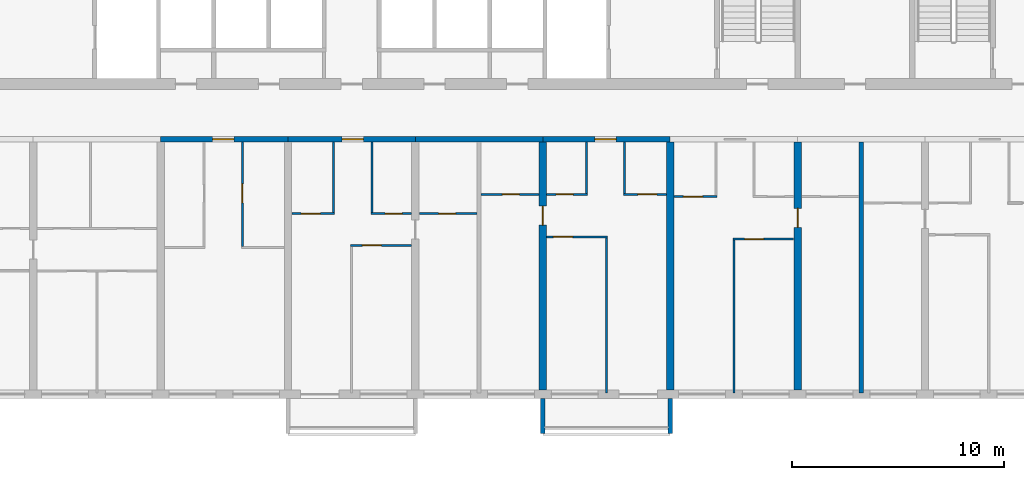
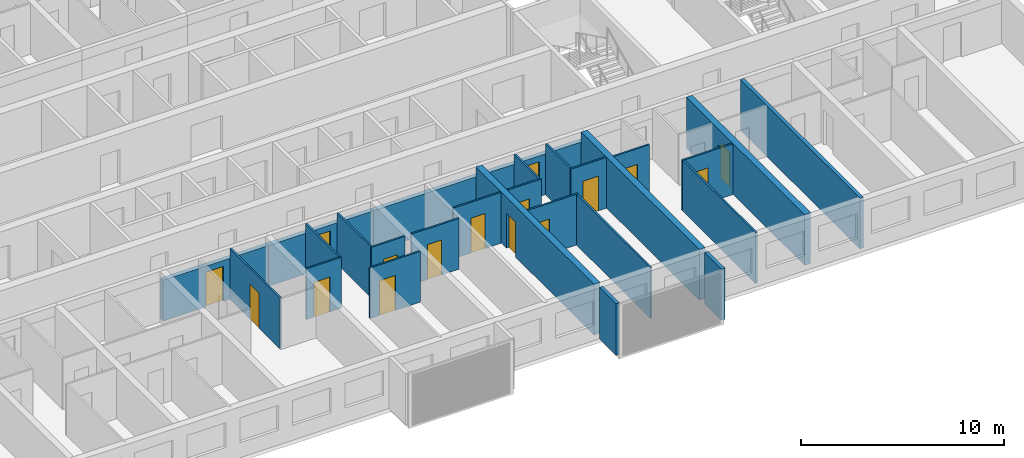
# One storey, part 5 of 24: 27 walls, 16 doors, 16 openings.
"""IFC4 building model written with IfcOpenShell, lengths in metres."""

from ifc_helpers import new_model, si_unit, direction, frame, frame_2d, origin, place, context, subcontext, project, spatial, polyline, rectangle, outline, extrude, source, transform, mapped, material, layer, layer_set, type_object, element, fill, save


model = new_model("IFC4")

# Units and contexts
model_context = context("Model", 3, precision=1e-05, world=origin(), true_north=direction((0.0, 1.0)))
body_context = subcontext(model_context, "Body", "Model", "MODEL_VIEW")
ifc_project = project(units=[si_unit("LENGTHUNIT", "METRE"), si_unit("AREAUNIT", "SQUARE_METRE"), si_unit("VOLUMEUNIT", "CUBIC_METRE"), si_unit("PLANEANGLEUNIT", "RADIAN"), si_unit("MASSUNIT", "GRAM", prefix="KILO")], contexts=[model_context])

# Site, building, storey
site_placement = place(None, origin())
site = spatial("IfcSite", under=ifc_project, at=site_placement, CompositionType="ELEMENT")
building_placement = place(site_placement, origin())
building = spatial("IfcBuilding", under=site, at=building_placement, Name="Poui Terraces", CompositionType="ELEMENT")
storey_placement = place(building_placement, frame((0.0, 0.0, 109.199951171875)))
storey = spatial("IfcBuildingStorey", under=building, at=storey_placement, Name="L30", CompositionType="ELEMENT", Elevation=109.199951171875)

# Wall, opening, door
ifc_material_1 = material(Name="Concrete 65 MPa", Category="concrete")
ifc_layer_1 = layer(ifc_material_1, 0.25)
ifc_layer_set_1 = layer_set([ifc_layer_1], Name="Concrete 65 MPa")
wall_type_1 = type_object("IfcWallType", Name="CORRIDOR WALL 250 65MPa", PredefinedType="SHEAR", material=ifc_layer_set_1)
wall_1_placement = place(storey_placement, frame((42.0, 12.0, 0.0), z_axis=(0.0, 0.0, 1.0), x_axis=(1.0, 0.0, 0.0)))
wall_1 = element("IfcWall", 1, at=wall_1_placement, inside=storey, type_object=wall_type_1, Name="CORRIDOR WALL LINE B BAY 6", PredefinedType="SHEAR", context=body_context, shape_type="SweptSolid", body=[
    extrude(rectangle(XDim=6.0, YDim=0.25, at=frame_2d((3.0, 0.0))), origin(), (0.0, 0.0, 1.0), 2.4599609375),
])
opening_1_placement = place(wall_1_placement, frame((2.449951171875, 0.0, 0.0)))
opening_1 = element("IfcOpeningElement", 2, at=opening_1_placement, cuts=wall_1, Name="Opening FD30S", PredefinedType="OPENING", context=body_context, shape_type="SweptSolid", body=[
    extrude(rectangle(XDim=1.0, YDim=2.10009765625, at=frame_2d((0.5, 1.050048828125))), frame((0.0, 0.135009765625, 0.0), z_axis=(0.0, -1.0, 0.0), x_axis=(1.0, 0.0, 0.0)), (0.0, 0.0, 1.0), 0.27001953125),
])
ifc_material_2 = material(Name="Steel fire door", Category="steel")
door_type_1 = type_object("IfcDoorType", Name="FLAT ENTRANCE DOOR 1000 X 2100", OperationType="NOTDEFINED", PredefinedType="DOOR", material=ifc_material_2)
door_1_placement = place(opening_1_placement, frame((1.0, 0.0, 0.0), z_axis=(0.0, 0.0, 1.0), x_axis=(-1.0, 0.0, 0.0)))
door_1 = element("IfcDoor", 3, at=door_1_placement, inside=storey, type_object=door_type_1, Name="FLAT ENTRANCE DOOR 093", OperationType="SINGLE_SWING_RIGHT", OverallHeight=2.10009765625, OverallWidth=1.0, PredefinedType="DOOR", context=body_context, shape_type="SweptSolid", body=[
    extrude(rectangle(XDim=1.0, YDim=2.10009765625, at=frame_2d((0.5, 1.050048828125))), frame((0.0, 0.02490234375, 0.0), z_axis=(0.0, -1.0, 0.0), x_axis=(1.0, 0.0, 0.0)), (0.0, 0.0, 1.0), 0.050048828125),
])
fill(opening_1, door_1)

wall_2_placement = place(storey_placement, frame((48.0, 12.0, 0.0), z_axis=(0.0, 0.0, 1.0), x_axis=(1.0, 0.0, 0.0)))
wall_2 = element("IfcWall", 4, at=wall_2_placement, inside=storey, type_object=wall_type_1, Name="CORRIDOR WALL LINE B BAY 7", PredefinedType="SHEAR", context=body_context, shape_type="SweptSolid", body=[
    extrude(rectangle(XDim=6.0, YDim=0.25, at=frame_2d((3.0, 0.0))), origin(), (0.0, 0.0, 1.0), 2.4599609375),
])
opening_2_placement = place(wall_2_placement, frame((2.550048828125, 0.0, 0.0)))
opening_2 = element("IfcOpeningElement", 5, at=opening_2_placement, cuts=wall_2, Name="Opening FD30S", PredefinedType="OPENING", context=body_context, shape_type="SweptSolid", body=[
    extrude(rectangle(XDim=1.0, YDim=2.10009765625, at=frame_2d((0.5, 1.050048828125))), frame((0.0, 0.135009765625, 0.0), z_axis=(0.0, -1.0, 0.0), x_axis=(1.0, 0.0, 0.0)), (0.0, 0.0, 1.0), 0.27001953125),
])
door_2_placement = place(opening_2_placement, frame((1.0, 0.0, 0.0), z_axis=(0.0, 0.0, 1.0), x_axis=(-1.0, 0.0, 0.0)))
door_2 = element("IfcDoor", 6, at=door_2_placement, inside=storey, type_object=door_type_1, Name="FLAT ENTRANCE DOOR 097", OperationType="SINGLE_SWING_LEFT", OverallHeight=2.10009765625, OverallWidth=1.0, PredefinedType="DOOR", context=body_context, shape_type="SweptSolid", body=[
    extrude(rectangle(XDim=1.0, YDim=2.10009765625, at=frame_2d((0.5, 1.050048828125))), frame((0.0, 0.02490234375, 0.0), z_axis=(0.0, -1.0, 0.0), x_axis=(1.0, 0.0, 0.0)), (0.0, 0.0, 1.0), 0.050048828125),
])
fill(opening_2, door_2)

# Wall
wall_3_placement = place(storey_placement, frame((54.0, 12.0, 0.0), z_axis=(0.0, 0.0, 1.0), x_axis=(1.0, 0.0, 0.0)))
element("IfcWall", 7, at=wall_3_placement, inside=storey, type_object=wall_type_1, Name="CORRIDOR WALL LINE B BAY 8", PredefinedType="SHEAR", context=body_context, shape_type="SweptSolid", body=[
    extrude(rectangle(XDim=6.0, YDim=0.25, at=frame_2d((3.0, 0.0))), origin(), (0.0, 0.0, 1.0), 2.4599609375),
])

# Wall, opening, door
wall_4_placement = place(storey_placement, frame((60.0, 12.0, 0.0), z_axis=(0.0, 0.0, 1.0), x_axis=(1.0, 0.0, 0.0)))
wall_4 = element("IfcWall", 8, at=wall_4_placement, inside=storey, type_object=wall_type_1, Name="CORRIDOR WALL LINE B BAY 9", PredefinedType="SHEAR", context=body_context, shape_type="SweptSolid", body=[
    extrude(rectangle(XDim=6.0, YDim=0.25, at=frame_2d((3.0, 0.0))), origin(), (0.0, 0.0, 1.0), 2.4599609375),
])
opening_3_placement = place(wall_4_placement, frame((2.449951171875, 0.0, 0.0)))
opening_3 = element("IfcOpeningElement", 9, at=opening_3_placement, cuts=wall_4, Name="Opening FD30S", PredefinedType="OPENING", context=body_context, shape_type="SweptSolid", body=[
    extrude(rectangle(XDim=1.0, YDim=2.10009765625, at=frame_2d((0.5, 1.050048828125))), frame((0.0, 0.135009765625, 0.0), z_axis=(0.0, -1.0, 0.0), x_axis=(1.0, 0.0, 0.0)), (0.0, 0.0, 1.0), 0.27001953125),
])
door_3_placement = place(opening_3_placement, frame((1.0, 0.0, 0.0), z_axis=(0.0, 0.0, 1.0), x_axis=(-1.0, 0.0, 0.0)))
door_3 = element("IfcDoor", 10, at=door_3_placement, inside=storey, type_object=door_type_1, Name="FLAT ENTRANCE DOOR 105", OperationType="SINGLE_SWING_RIGHT", OverallHeight=2.10009765625, OverallWidth=1.0, PredefinedType="DOOR", context=body_context, shape_type="SweptSolid", body=[
    extrude(rectangle(XDim=1.0, YDim=2.10009765625, at=frame_2d((0.5, 1.050048828125))), frame((0.0, 0.02490234375, 0.0), z_axis=(0.0, -1.0, 0.0), x_axis=(1.0, 0.0, 0.0)), (0.0, 0.0, 1.0), 0.050048828125),
])
fill(opening_3, door_3)

ifc_layer_2 = layer(ifc_material_1, 0.35009765625)
ifc_layer_set_2 = layer_set([ifc_layer_2], Name="Concrete 65 MPa")
wall_type_2 = type_object("IfcWallType", Name="CROSS WALL 350 65MPa", PredefinedType="SHEAR", material=ifc_layer_set_2)
wall_5_placement = place(storey_placement, frame((60.0, 0.199951171875, 0.0), z_axis=(0.0, 0.0, 1.0), x_axis=(0.0, 1.0, 0.0)))
wall_5 = element("IfcWall", 11, at=wall_5_placement, inside=storey, type_object=wall_type_2, Name="CROSS WALL LINE 11 SOUTH", PredefinedType="SHEAR", context=body_context, shape_type="SweptSolid", body=[
    extrude(rectangle(XDim=11.675048828125, YDim=0.35009765625, at=frame_2d((5.83740234375, 0.0))), origin(), (0.0, 0.0, 1.0), 3.06005859375),
])
opening_4_placement = place(wall_5_placement, frame((7.75, 0.0, 0.0)))
opening_4 = element("IfcOpeningElement", 12, at=opening_4_placement, cuts=wall_5, Name="Opening D90", PredefinedType="OPENING", context=body_context, shape_type="SweptSolid", body=[
    extrude(rectangle(XDim=0.89990234375, YDim=2.10009765625, at=frame_2d((0.449951171875, 1.050048828125))), frame((0.0, 0.18505859375, 0.0), z_axis=(0.0, -1.0, 0.0), x_axis=(1.0, 0.0, 0.0)), (0.0, 0.0, 1.0), 0.3701171875),
])
ifc_material_3 = material(Name="Solid core timber door", Category="wood")
door_type_2 = type_object("IfcDoorType", Name="INTERNAL DOOR 900 X 2100", OperationType="NOTDEFINED", PredefinedType="DOOR", material=ifc_material_3)
door_4_placement = place(opening_4_placement, origin())
door_4 = element("IfcDoor", 13, at=door_4_placement, inside=storey, type_object=door_type_2, Name="INTERNAL DOOR 102", OperationType="SINGLE_SWING_RIGHT", OverallHeight=2.10009765625, OverallWidth=0.89990234375, PredefinedType="DOOR", context=body_context, shape_type="SweptSolid", body=[
    extrude(rectangle(XDim=0.89990234375, YDim=2.10009765625, at=frame_2d((0.449951171875, 1.050048828125))), frame((0.0, 0.02490234375, 0.0), z_axis=(0.0, -1.0, 0.0), x_axis=(1.0, 0.0, 0.0)), (0.0, 0.0, 1.0), 0.050048828125),
])
fill(opening_4, door_4)

# Wall
wall_6_placement = place(storey_placement, frame((66.0, 0.199951171875, 0.0), z_axis=(0.0, 0.0, 1.0), x_axis=(0.0, 1.0, 0.0)))
element("IfcWall", 14, at=wall_6_placement, inside=storey, type_object=wall_type_2, Name="CROSS WALL LINE 12 SOUTH", PredefinedType="SHEAR", context=body_context, shape_type="SweptSolid", body=[
    extrude(rectangle(XDim=11.675048828125, YDim=0.35009765625, at=frame_2d((5.83740234375, 0.0))), origin(), (0.0, 0.0, 1.0), 3.06005859375),
])

# Wall, opening, door
wall_7_placement = place(storey_placement, frame((72.0, 0.199951171875, 0.0), z_axis=(0.0, 0.0, 1.0), x_axis=(0.0, 1.0, 0.0)))
wall_7 = element("IfcWall", 15, at=wall_7_placement, inside=storey, type_object=wall_type_2, Name="CROSS WALL LINE 13 SOUTH", PredefinedType="SHEAR", context=body_context, shape_type="SweptSolid", body=[
    extrude(rectangle(XDim=11.675048828125, YDim=0.35009765625, at=frame_2d((5.83740234375, 0.0))), origin(), (0.0, 0.0, 1.0), 3.06005859375),
])
opening_5_placement = place(wall_7_placement, frame((7.64990234375, 0.0, 0.0)))
opening_5 = element("IfcOpeningElement", 16, at=opening_5_placement, cuts=wall_7, Name="Opening D90", PredefinedType="OPENING", context=body_context, shape_type="SweptSolid", body=[
    extrude(rectangle(XDim=0.89990234375, YDim=2.10009765625, at=frame_2d((0.449951171875, 1.050048828125))), frame((0.0, 0.18505859375, 0.0), z_axis=(0.0, -1.0, 0.0), x_axis=(1.0, 0.0, 0.0)), (0.0, 0.0, 1.0), 0.3701171875),
])
door_5_placement = place(opening_5_placement, frame((0.89990234375, 0.0, 0.0), z_axis=(0.0, 0.0, 1.0), x_axis=(-1.0, 0.0, 0.0)))
door_5 = element("IfcDoor", 17, at=door_5_placement, inside=storey, type_object=door_type_2, Name="INTERNAL DOOR 112", OperationType="SINGLE_SWING_LEFT", OverallHeight=2.10009765625, OverallWidth=0.89990234375, PredefinedType="DOOR", context=body_context, shape_type="SweptSolid", body=[
    extrude(rectangle(XDim=0.89990234375, YDim=2.10009765625, at=frame_2d((0.449951171875, 1.050048828125))), frame((0.0, 0.02490234375, 0.0), z_axis=(0.0, -1.0, 0.0), x_axis=(1.0, 0.0, 0.0)), (0.0, 0.0, 1.0), 0.050048828125),
])
fill(opening_5, door_5)

ifc_material_4 = material(Name="Plasterboard partition")
ifc_layer_3 = layer(ifc_material_4, 0.10009765625)
ifc_layer_set_3 = layer_set([ifc_layer_3], Name="Plasterboard partition")
wall_type_3 = type_object("IfcWallType", Name="FLAT PARTITION 100", PredefinedType="PARTITIONING", material=ifc_layer_set_3)
wall_8_placement = place(storey_placement, frame((50.949951171875, 7.0, 0.0), z_axis=(0.0, 0.0, 1.0), x_axis=(1.0, 0.0, 0.0)))
wall_8 = element("IfcWall", 18, at=wall_8_placement, inside=storey, type_object=wall_type_3, Name="FLAT PARTITION 100", PredefinedType="PARTITIONING", context=body_context, shape_type="SweptSolid", body=[
    extrude(rectangle(XDim=2.864990234375, YDim=0.10009765625, at=frame_2d((1.4326171875, 0.0))), origin(), (0.0, 0.0, 1.0), 3.06005859375),
])
opening_6_placement = place(wall_8_placement, frame((0.550048828125, 0.0, 0.0)))
opening_6 = element("IfcOpeningElement", 19, at=opening_6_placement, cuts=wall_8, Name="Opening D90", PredefinedType="OPENING", context=body_context, shape_type="SweptSolid", body=[
    extrude(rectangle(XDim=0.89990234375, YDim=2.10009765625, at=frame_2d((0.449951171875, 1.050048828125))), frame((0.0, 0.06005859375, 0.0), z_axis=(0.0, -1.0, 0.0), x_axis=(1.0, 0.0, 0.0)), (0.0, 0.0, 1.0), 0.1201171875),
])
door_6_placement = place(opening_6_placement, origin())
door_6 = element("IfcDoor", 20, at=door_6_placement, inside=storey, type_object=door_type_2, Name="INTERNAL DOOR 098", OperationType="SINGLE_SWING_RIGHT", OverallHeight=2.10009765625, OverallWidth=0.89990234375, PredefinedType="DOOR", context=body_context, shape_type="SweptSolid", body=[
    extrude(rectangle(XDim=0.89990234375, YDim=2.10009765625, at=frame_2d((0.449951171875, 1.050048828125))), frame((0.0, 0.02490234375, 0.0), z_axis=(0.0, -1.0, 0.0), x_axis=(1.0, 0.0, 0.0)), (0.0, 0.0, 1.0), 0.050048828125),
])
fill(opening_6, door_6)

wall_9_placement = place(storey_placement, frame((68.949951171875, 7.300048828125, 0.0), z_axis=(0.0, 0.0, 1.0), x_axis=(1.0, 0.0, 0.0)))
wall_9 = element("IfcWall", 21, at=wall_9_placement, inside=storey, type_object=wall_type_3, Name="FLAT PARTITION 100", PredefinedType="PARTITIONING", context=body_context, shape_type="SweptSolid", body=[
    extrude(rectangle(XDim=2.864990234375, YDim=0.10009765625, at=frame_2d((1.4326171875, 0.0))), origin(), (0.0, 0.0, 1.0), 3.06005859375),
])
opening_7_placement = place(wall_9_placement, frame((0.550048828125, 0.0, 0.0)))
opening_7 = element("IfcOpeningElement", 22, at=opening_7_placement, cuts=wall_9, Name="Opening D90", PredefinedType="OPENING", context=body_context, shape_type="SweptSolid", body=[
    extrude(rectangle(XDim=0.89990234375, YDim=2.10009765625, at=frame_2d((0.449951171875, 1.050048828125))), frame((0.0, 0.06005859375, 0.0), z_axis=(0.0, -1.0, 0.0), x_axis=(1.0, 0.0, 0.0)), (0.0, 0.0, 1.0), 0.1201171875),
])
door_7_placement = place(opening_7_placement, origin())
door_7 = element("IfcDoor", 23, at=door_7_placement, inside=storey, type_object=door_type_2, Name="INTERNAL DOOR 110", OperationType="SINGLE_SWING_RIGHT", OverallHeight=2.10009765625, OverallWidth=0.89990234375, PredefinedType="DOOR", context=body_context, shape_type="SweptSolid", body=[
    extrude(rectangle(XDim=0.89990234375, YDim=2.10009765625, at=frame_2d((0.449951171875, 1.050048828125))), frame((0.0, 0.02490234375, 0.0), z_axis=(0.0, -1.0, 0.0), x_axis=(1.0, 0.0, 0.0)), (0.0, 0.0, 1.0), 0.050048828125),
])
fill(opening_7, door_7)

wall_10_placement = place(storey_placement, frame((60.18505859375, 7.39990234375, 0.0), z_axis=(0.0, 0.0, 1.0), x_axis=(1.0, 0.0, 0.0)))
wall_10 = element("IfcWall", 24, at=wall_10_placement, inside=storey, type_object=wall_type_3, Name="FLAT PARTITION 100", PredefinedType="PARTITIONING", context=body_context, shape_type="SweptSolid", body=[
    extrude(rectangle(XDim=2.864990234375, YDim=0.10009765625, at=frame_2d((1.4326171875, 0.0))), origin(), (0.0, 0.0, 1.0), 3.06005859375),
])
opening_8_placement = place(wall_10_placement, frame((0.31494140625, 0.0, 0.0)))
opening_8 = element("IfcOpeningElement", 25, at=opening_8_placement, cuts=wall_10, Name="Opening D90", PredefinedType="OPENING", context=body_context, shape_type="SweptSolid", body=[
    extrude(rectangle(XDim=0.89990234375, YDim=2.10009765625, at=frame_2d((0.449951171875, 1.050048828125))), frame((0.0, 0.06005859375, 0.0), z_axis=(0.0, -1.0, 0.0), x_axis=(1.0, 0.0, 0.0)), (0.0, 0.0, 1.0), 0.1201171875),
])
door_8_placement = place(opening_8_placement, origin())
door_8 = element("IfcDoor", 26, at=door_8_placement, inside=storey, type_object=door_type_2, Name="INTERNAL DOOR 103", OperationType="SINGLE_SWING_RIGHT", OverallHeight=2.10009765625, OverallWidth=0.89990234375, PredefinedType="DOOR", context=body_context, shape_type="SweptSolid", body=[
    extrude(rectangle(XDim=0.89990234375, YDim=2.10009765625, at=frame_2d((0.449951171875, 1.050048828125))), frame((0.0, 0.02490234375, 0.0), z_axis=(0.0, -1.0, 0.0), x_axis=(1.0, 0.0, 0.0)), (0.0, 0.0, 1.0), 0.050048828125),
])
fill(opening_8, door_8)

wall_11_placement = place(storey_placement, frame((48.18505859375, 8.5, 0.0), z_axis=(0.0, 0.0, 1.0), x_axis=(1.0, 0.0, 0.0)))
wall_11 = element("IfcWall", 27, at=wall_11_placement, inside=storey, type_object=wall_type_3, Name="FLAT PARTITION 100", PredefinedType="PARTITIONING", context=body_context, shape_type="SweptSolid", body=[
    extrude(rectangle(XDim=2.014892578125, YDim=0.10009765625, at=frame_2d((1.00732421875, 0.0))), origin(), (0.0, 0.0, 1.0), 3.06005859375),
])
opening_9_placement = place(wall_11_placement, frame((0.43994140625, 0.0, 0.0)))
opening_9 = element("IfcOpeningElement", 28, at=opening_9_placement, cuts=wall_11, Name="Opening D90", PredefinedType="OPENING", context=body_context, shape_type="SweptSolid", body=[
    extrude(rectangle(XDim=0.89990234375, YDim=2.10009765625, at=frame_2d((0.449951171875, 1.050048828125))), frame((0.0, 0.06005859375, 0.0), z_axis=(0.0, -1.0, 0.0), x_axis=(1.0, 0.0, 0.0)), (0.0, 0.0, 1.0), 0.1201171875),
])
door_9_placement = place(opening_9_placement, origin())
door_9 = element("IfcDoor", 29, at=door_9_placement, inside=storey, type_object=door_type_2, Name="INTERNAL DOOR 096", OperationType="SINGLE_SWING_RIGHT", OverallHeight=2.10009765625, OverallWidth=0.89990234375, PredefinedType="DOOR", context=body_context, shape_type="SweptSolid", body=[
    extrude(rectangle(XDim=0.89990234375, YDim=2.10009765625, at=frame_2d((0.449951171875, 1.050048828125))), frame((0.0, 0.02490234375, 0.0), z_axis=(0.0, -1.0, 0.0), x_axis=(1.0, 0.0, 0.0)), (0.0, 0.0, 1.0), 0.050048828125),
])
fill(opening_9, door_9)

wall_12_placement = place(storey_placement, frame((51.89990234375, 8.5, 0.0), z_axis=(0.0, 0.0, 1.0), x_axis=(1.0, 0.0, 0.0)))
wall_12 = element("IfcWall", 30, at=wall_12_placement, inside=storey, type_object=wall_type_3, Name="FLAT PARTITION 100", PredefinedType="PARTITIONING", context=body_context, shape_type="SweptSolid", body=[
    extrude(rectangle(XDim=1.9150390625, YDim=0.10009765625, at=frame_2d((0.95751953125, 0.0))), origin(), (0.0, 0.0, 1.0), 3.06005859375),
])
opening_10_placement = place(wall_12_placement, frame((0.675048828125, 0.0, 0.0)))
opening_10 = element("IfcOpeningElement", 31, at=opening_10_placement, cuts=wall_12, Name="Opening D80", PredefinedType="OPENING", context=body_context, shape_type="SweptSolid", body=[
    extrude(rectangle(XDim=0.800048828125, YDim=2.10009765625, at=frame_2d((0.39990234375, 1.050048828125))), frame((0.0, 0.06005859375, 0.0), z_axis=(0.0, -1.0, 0.0), x_axis=(1.0, 0.0, 0.0)), (0.0, 0.0, 1.0), 0.1201171875),
])
door_type_3 = type_object("IfcDoorType", Name="BATHROOM, LAUNDRY AND STORE DOOR 800 X 2100", OperationType="NOTDEFINED", PredefinedType="DOOR", material=ifc_material_3)
door_10_placement = place(opening_10_placement, origin())
door_10 = element("IfcDoor", 32, at=door_10_placement, inside=storey, type_object=door_type_3, Name="BATHROOM, LAUNDRY AND STORE DOOR 099", OperationType="SINGLE_SWING_LEFT", OverallHeight=2.10009765625, OverallWidth=0.800048828125, PredefinedType="DOOR", context=body_context, shape_type="SweptSolid", body=[
    extrude(rectangle(XDim=0.800048828125, YDim=2.10009765625, at=frame_2d((0.39990234375, 1.050048828125))), frame((0.0, 0.02490234375, 0.0), z_axis=(0.0, -1.0, 0.0), x_axis=(1.0, 0.0, 0.0)), (0.0, 0.0, 1.0), 0.050048828125),
])
fill(opening_10, door_10)

wall_13_placement = place(storey_placement, frame((54.18505859375, 8.5, 0.0), z_axis=(0.0, 0.0, 1.0), x_axis=(1.0, 0.0, 0.0)))
wall_13 = element("IfcWall", 33, at=wall_13_placement, inside=storey, type_object=wall_type_3, Name="FLAT PARTITION 100", PredefinedType="PARTITIONING", context=body_context, shape_type="SweptSolid", body=[
    extrude(rectangle(XDim=2.71484375, YDim=0.10009765625, at=frame_2d((1.357421875, 0.0))), origin(), (0.0, 0.0, 1.0), 3.06005859375),
])
opening_11_placement = place(wall_13_placement, frame((0.9150390625, 0.0, 0.0)))
opening_11 = element("IfcOpeningElement", 34, at=opening_11_placement, cuts=wall_13, Name="Opening D80", PredefinedType="OPENING", context=body_context, shape_type="SweptSolid", body=[
    extrude(rectangle(XDim=0.800048828125, YDim=2.10009765625, at=frame_2d((0.39990234375, 1.050048828125))), frame((0.0, 0.06005859375, 0.0), z_axis=(0.0, -1.0, 0.0), x_axis=(1.0, 0.0, 0.0)), (0.0, 0.0, 1.0), 0.1201171875),
])
door_11_placement = place(opening_11_placement, origin())
door_11 = element("IfcDoor", 35, at=door_11_placement, inside=storey, type_object=door_type_3, Name="BATHROOM, LAUNDRY AND STORE DOOR 095", OperationType="SINGLE_SWING_RIGHT", OverallHeight=2.10009765625, OverallWidth=0.800048828125, PredefinedType="DOOR", context=body_context, shape_type="SweptSolid", body=[
    extrude(rectangle(XDim=0.800048828125, YDim=2.10009765625, at=frame_2d((0.39990234375, 1.050048828125))), frame((0.0, 0.02490234375, 0.0), z_axis=(0.0, -1.0, 0.0), x_axis=(1.0, 0.0, 0.0)), (0.0, 0.0, 1.0), 0.050048828125),
])
fill(opening_11, door_11)

wall_14_placement = place(storey_placement, frame((66.18505859375, 9.300048828125, 0.0), z_axis=(0.0, 0.0, 1.0), x_axis=(1.0, 0.0, 0.0)))
wall_14 = element("IfcWall", 36, at=wall_14_placement, inside=storey, type_object=wall_type_3, Name="FLAT PARTITION 100", PredefinedType="PARTITIONING", context=body_context, shape_type="SweptSolid", body=[
    extrude(rectangle(XDim=2.014892578125, YDim=0.10009765625, at=frame_2d((1.00732421875, 0.0))), origin(), (0.0, 0.0, 1.0), 3.06005859375),
])
opening_12_placement = place(wall_14_placement, frame((0.43994140625, 0.0, 0.0)))
opening_12 = element("IfcOpeningElement", 37, at=opening_12_placement, cuts=wall_14, Name="Opening D90", PredefinedType="OPENING", context=body_context, shape_type="SweptSolid", body=[
    extrude(rectangle(XDim=0.89990234375, YDim=2.10009765625, at=frame_2d((0.449951171875, 1.050048828125))), frame((0.0, 0.06005859375, 0.0), z_axis=(0.0, -1.0, 0.0), x_axis=(1.0, 0.0, 0.0)), (0.0, 0.0, 1.0), 0.1201171875),
])
door_12_placement = place(opening_12_placement, origin())
door_12 = element("IfcDoor", 38, at=door_12_placement, inside=storey, type_object=door_type_2, Name="INTERNAL DOOR 108", OperationType="SINGLE_SWING_RIGHT", OverallHeight=2.10009765625, OverallWidth=0.89990234375, PredefinedType="DOOR", context=body_context, shape_type="SweptSolid", body=[
    extrude(rectangle(XDim=0.89990234375, YDim=2.10009765625, at=frame_2d((0.449951171875, 1.050048828125))), frame((0.0, 0.02490234375, 0.0), z_axis=(0.0, -1.0, 0.0), x_axis=(1.0, 0.0, 0.0)), (0.0, 0.0, 1.0), 0.050048828125),
])
fill(opening_12, door_12)

wall_15_placement = place(storey_placement, frame((57.10009765625, 9.39990234375, 0.0), z_axis=(0.0, 0.0, 1.0), x_axis=(1.0, 0.0, 0.0)))
wall_15 = element("IfcWall", 39, at=wall_15_placement, inside=storey, type_object=wall_type_3, Name="FLAT PARTITION 100", PredefinedType="PARTITIONING", context=body_context, shape_type="SweptSolid", body=[
    extrude(rectangle(XDim=2.71484375, YDim=0.10009765625, at=frame_2d((1.357421875, 0.0))), origin(), (0.0, 0.0, 1.0), 3.06005859375),
])
opening_13_placement = place(wall_15_placement, frame((1.0, 0.0, 0.0)))
opening_13 = element("IfcOpeningElement", 40, at=opening_13_placement, cuts=wall_15, Name="Opening D80", PredefinedType="OPENING", context=body_context, shape_type="SweptSolid", body=[
    extrude(rectangle(XDim=0.800048828125, YDim=2.10009765625, at=frame_2d((0.39990234375, 1.050048828125))), frame((0.0, 0.06005859375, 0.0), z_axis=(0.0, -1.0, 0.0), x_axis=(1.0, 0.0, 0.0)), (0.0, 0.0, 1.0), 0.1201171875),
])
door_13_placement = place(opening_13_placement, origin())
door_13 = element("IfcDoor", 41, at=door_13_placement, inside=storey, type_object=door_type_3, Name="BATHROOM, LAUNDRY AND STORE DOOR 101", OperationType="SINGLE_SWING_LEFT", OverallHeight=2.10009765625, OverallWidth=0.800048828125, PredefinedType="DOOR", context=body_context, shape_type="SweptSolid", body=[
    extrude(rectangle(XDim=0.800048828125, YDim=2.10009765625, at=frame_2d((0.39990234375, 1.050048828125))), frame((0.0, 0.02490234375, 0.0), z_axis=(0.0, -1.0, 0.0), x_axis=(1.0, 0.0, 0.0)), (0.0, 0.0, 1.0), 0.050048828125),
])
fill(opening_13, door_13)

wall_16_placement = place(storey_placement, frame((60.18505859375, 9.39990234375, 0.0), z_axis=(0.0, 0.0, 1.0), x_axis=(1.0, 0.0, 0.0)))
wall_16 = element("IfcWall", 42, at=wall_16_placement, inside=storey, type_object=wall_type_3, Name="FLAT PARTITION 100", PredefinedType="PARTITIONING", context=body_context, shape_type="SweptSolid", body=[
    extrude(rectangle(XDim=1.9150390625, YDim=0.10009765625, at=frame_2d((0.95751953125, 0.0))), origin(), (0.0, 0.0, 1.0), 3.06005859375),
])
opening_14_placement = place(wall_16_placement, frame((0.43994140625, 0.0, 0.0)))
opening_14 = element("IfcOpeningElement", 43, at=opening_14_placement, cuts=wall_16, Name="Opening D80", PredefinedType="OPENING", context=body_context, shape_type="SweptSolid", body=[
    extrude(rectangle(XDim=0.800048828125, YDim=2.10009765625, at=frame_2d((0.39990234375, 1.050048828125))), frame((0.0, 0.06005859375, 0.0), z_axis=(0.0, -1.0, 0.0), x_axis=(1.0, 0.0, 0.0)), (0.0, 0.0, 1.0), 0.1201171875),
])
door_14_placement = place(opening_14_placement, origin())
door_14 = element("IfcDoor", 44, at=door_14_placement, inside=storey, type_object=door_type_3, Name="BATHROOM, LAUNDRY AND STORE DOOR 104", OperationType="SINGLE_SWING_LEFT", OverallHeight=2.10009765625, OverallWidth=0.800048828125, PredefinedType="DOOR", context=body_context, shape_type="SweptSolid", body=[
    extrude(rectangle(XDim=0.800048828125, YDim=2.10009765625, at=frame_2d((0.39990234375, 1.050048828125))), frame((0.0, 0.02490234375, 0.0), z_axis=(0.0, -1.0, 0.0), x_axis=(1.0, 0.0, 0.0)), (0.0, 0.0, 1.0), 0.050048828125),
])
fill(opening_14, door_14)

wall_17_placement = place(storey_placement, frame((63.800048828125, 9.39990234375, 0.0), z_axis=(0.0, 0.0, 1.0), x_axis=(1.0, 0.0, 0.0)))
wall_17 = element("IfcWall", 45, at=wall_17_placement, inside=storey, type_object=wall_type_3, Name="FLAT PARTITION 100", PredefinedType="PARTITIONING", context=body_context, shape_type="SweptSolid", body=[
    extrude(rectangle(XDim=2.014892578125, YDim=0.10009765625, at=frame_2d((1.00732421875, 0.0))), origin(), (0.0, 0.0, 1.0), 3.06005859375),
])
opening_15_placement = place(wall_17_placement, frame((0.675048828125, 0.0, 0.0)))
opening_15 = element("IfcOpeningElement", 46, at=opening_15_placement, cuts=wall_17, Name="Opening D90", PredefinedType="OPENING", context=body_context, shape_type="SweptSolid", body=[
    extrude(rectangle(XDim=0.89990234375, YDim=2.10009765625, at=frame_2d((0.449951171875, 1.050048828125))), frame((0.0, 0.06005859375, 0.0), z_axis=(0.0, -1.0, 0.0), x_axis=(1.0, 0.0, 0.0)), (0.0, 0.0, 1.0), 0.1201171875),
])
door_15_placement = place(opening_15_placement, origin())
door_15 = element("IfcDoor", 47, at=door_15_placement, inside=storey, type_object=door_type_2, Name="INTERNAL DOOR 106", OperationType="SINGLE_SWING_RIGHT", OverallHeight=2.10009765625, OverallWidth=0.89990234375, PredefinedType="DOOR", context=body_context, shape_type="SweptSolid", body=[
    extrude(rectangle(XDim=0.89990234375, YDim=2.10009765625, at=frame_2d((0.449951171875, 1.050048828125))), frame((0.0, 0.02490234375, 0.0), z_axis=(0.0, -1.0, 0.0), x_axis=(1.0, 0.0, 0.0)), (0.0, 0.0, 1.0), 0.050048828125),
])
fill(opening_15, door_15)

wall_18_placement = place(storey_placement, frame((45.85009765625, 6.949951171875, 0.0), z_axis=(0.0, 0.0, 1.0), x_axis=(0.0, 1.0, 0.0)))
wall_18 = element("IfcWall", 48, at=wall_18_placement, inside=storey, type_object=wall_type_3, Name="FLAT PARTITION 100", PredefinedType="PARTITIONING", context=body_context, shape_type="SweptSolid", body=[
    extrude(rectangle(XDim=4.9150390625, YDim=0.10009765625, at=frame_2d((2.45751953125, 0.0))), origin(), (0.0, 0.0, 1.0), 3.06005859375),
])
opening_16_placement = place(wall_18_placement, frame((2.050048828125, 0.0, 0.0)))
opening_16 = element("IfcOpeningElement", 49, at=opening_16_placement, cuts=wall_18, Name="Opening D90", PredefinedType="OPENING", context=body_context, shape_type="SweptSolid", body=[
    extrude(rectangle(XDim=0.89990234375, YDim=2.10009765625, at=frame_2d((0.449951171875, 1.050048828125))), frame((0.0, 0.06005859375, 0.0), z_axis=(0.0, -1.0, 0.0), x_axis=(1.0, 0.0, 0.0)), (0.0, 0.0, 1.0), 0.1201171875),
])
door_16_placement = place(opening_16_placement, frame((0.89990234375, 0.0, 0.0), z_axis=(0.0, 0.0, 1.0), x_axis=(-1.0, 0.0, 0.0)))
door_16 = element("IfcDoor", 50, at=door_16_placement, inside=storey, type_object=door_type_2, Name="INTERNAL DOOR 094", OperationType="SINGLE_SWING_RIGHT", OverallHeight=2.10009765625, OverallWidth=0.89990234375, PredefinedType="DOOR", context=body_context, shape_type="SweptSolid", body=[
    extrude(rectangle(XDim=0.89990234375, YDim=2.10009765625, at=frame_2d((0.449951171875, 1.050048828125))), frame((0.0, 0.02490234375, 0.0), z_axis=(0.0, -1.0, 0.0), x_axis=(1.0, 0.0, 0.0)), (0.0, 0.0, 1.0), 0.050048828125),
])
fill(opening_16, door_16)

# Walls
for number, where, z_axis, x_axis, name in (
    (51, (50.14990234375, 8.550048828125, 0.0), (0.0, 0.0, 1.0), (0.0, 1.0, 0.0), "FLAT PARTITION 100"),
    (52, (51.949951171875, 8.550048828125, 0.0), (0.0, 0.0, 1.0), (0.0, 1.0, 0.0), "FLAT PARTITION 100"),
):
    element("IfcWall", number, at=place(storey_placement, frame(where, z_axis=z_axis, x_axis=x_axis)), inside=storey, type_object=wall_type_3, Name=name, PredefinedType="PARTITIONING", context=body_context, shape_type="SweptSolid", body=[
        extrude(rectangle(XDim=3.31494140625, YDim=0.10009765625, at=frame_2d((1.657470703125, 0.0))), origin(), (0.0, 0.0, 1.0), 3.06005859375),
    ])
wall_19_placement = place(storey_placement, frame((62.050048828125, 9.449951171875, 0.0), z_axis=(0.0, 0.0, 1.0), x_axis=(0.0, 1.0, 0.0)))
element("IfcWall", 53, at=wall_19_placement, inside=storey, type_object=wall_type_3, Name="FLAT PARTITION 100", PredefinedType="PARTITIONING", context=body_context, shape_type="SweptSolid", body=[
    extrude(rectangle(XDim=2.4150390625, YDim=0.10009765625, at=frame_2d((1.20751953125, 0.0))), origin(), (0.0, 0.0, 1.0), 3.06005859375),
])
wall_20_placement = place(storey_placement, frame((63.0, 0.06005859375, 0.0), z_axis=(0.0, 0.0, 1.0), x_axis=(0.0, 1.0, 0.0)))
element("IfcWall", 54, at=wall_20_placement, inside=storey, type_object=wall_type_3, Name="FLAT PARTITION 100", PredefinedType="PARTITIONING", context=body_context, shape_type="SweptSolid", body=[
    extrude(rectangle(XDim=7.2900390625, YDim=0.10009765625, at=frame_2d((3.64501953125, 0.0))), origin(), (0.0, 0.0, 1.0), 3.06005859375),
])
wall_21_placement = place(storey_placement, frame((63.85009765625, 9.449951171875, 0.0), z_axis=(0.0, 0.0, 1.0), x_axis=(0.0, 1.0, 0.0)))
element("IfcWall", 55, at=wall_21_placement, inside=storey, type_object=wall_type_3, Name="FLAT PARTITION 100", PredefinedType="PARTITIONING", context=body_context, shape_type="SweptSolid", body=[
    extrude(rectangle(XDim=2.4150390625, YDim=0.10009765625, at=frame_2d((1.20751953125, 0.0))), origin(), (0.0, 0.0, 1.0), 3.06005859375),
])
wall_22_placement = place(storey_placement, frame((69.0, 0.06005859375, 0.0), z_axis=(0.0, 0.0, 1.0), x_axis=(0.0, 1.0, 0.0)))
element("IfcWall", 56, at=wall_22_placement, inside=storey, type_object=wall_type_3, Name="FLAT PARTITION 100", PredefinedType="PARTITIONING", context=body_context, shape_type="SweptSolid", body=[
    extrude(rectangle(XDim=7.18994140625, YDim=0.10009765625, at=frame_2d((3.594970703125, 0.0))), origin(), (0.0, 0.0, 1.0), 3.06005859375),
])
ifc_material_5 = material(Name="Fire-rated masonry wall", Category="masonry")
ifc_layer_4 = layer(ifc_material_5, 0.199951171875)
ifc_layer_set_4 = layer_set([ifc_layer_4], Name="Fire-rated masonry wall")
wall_type_4 = type_object("IfcWallType", Name="FLAT PARTY WALL 200", PredefinedType="PARTITIONING", material=ifc_layer_set_4)
wall_23_placement = place(storey_placement, frame((75.0, 0.06005859375, 0.0), z_axis=(0.0, 0.0, 1.0), x_axis=(0.0, 1.0, 0.0)))
element("IfcWall", 57, at=wall_23_placement, inside=storey, type_object=wall_type_4, Name="FLAT PARTY WALL 200", PredefinedType="PARTITIONING", context=body_context, shape_type="SweptSolid", body=[
    extrude(rectangle(XDim=11.804931640625, YDim=0.199951171875, at=frame_2d((5.90234375, 0.0))), origin(), (0.0, 0.0, 1.0), 3.06005859375),
])
ifc_material_6 = material(Name="Precast concrete 40 MPa", Category="concrete")
ifc_layer_5 = layer(ifc_material_6, 0.199951171875)
ifc_layer_set_5 = layer_set([ifc_layer_5], Name="Precast concrete 40 MPa")
wall_type_5 = type_object("IfcWallType", Name="REAR FIN 200", PredefinedType="STANDARD", material=ifc_layer_set_5)
shared_shape = source(origin(), body_context, "Body", "SweptSolid", [
    extrude(outline(polyline([(0.0, 0.0), (0.2001953125, 0.0), (0.2001953125, 1.650146484375), (0.0, 1.650146484375), (0.0, 0.0)])), origin(), (0.0, 0.0, 1.0), 3.10009765625),
])
for number, where, name in (
    (58, (59.89990234375, -1.85009765625, 0.0), "REAR FIN"),
    (59, (65.89990234375, -1.85009765625, 0.0), "REAR FIN"),
):
    element("IfcWall", number, at=place(storey_placement, frame(where)), inside=storey, type_object=wall_type_5, Name=name, PredefinedType="STANDARD", context=body_context, shape_type="MappedRepresentation", body=[
        mapped(shared_shape, transform((0.0, 0.0, 0.0))),
    ])

save(model, "model.ifc")
